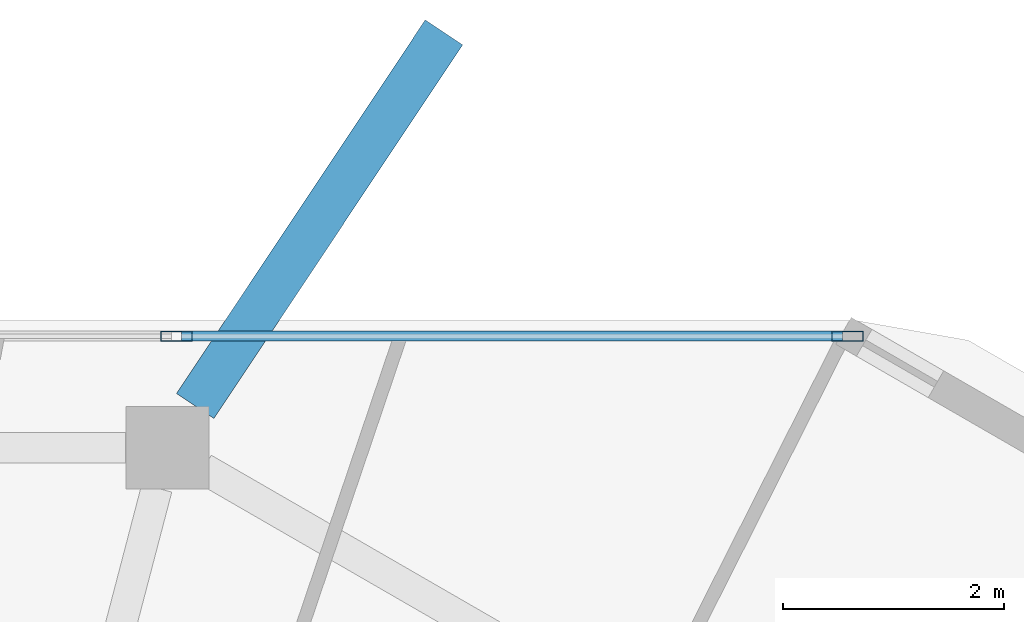
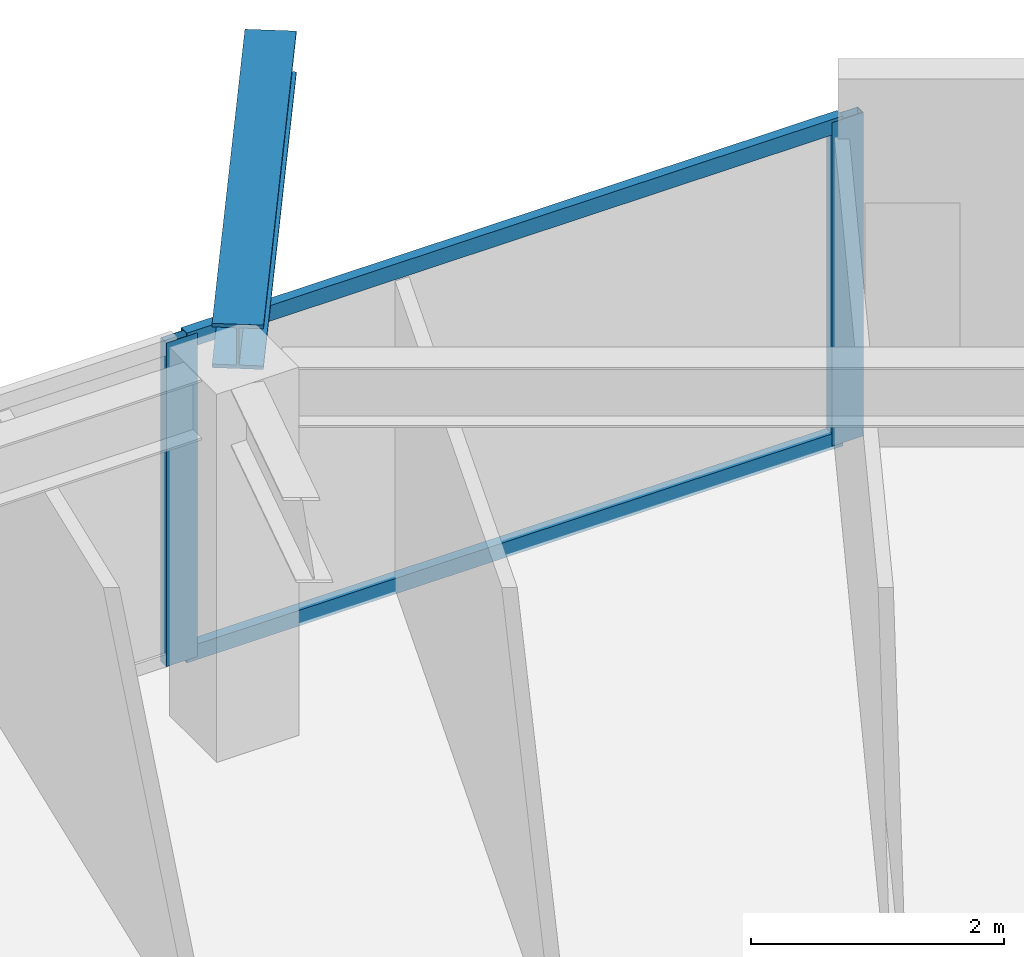
# One storey, part 10 of 18: 4 members, 1 beam, 1 element without a shape of its own.
"""IFC4 building model written with IfcOpenShell, lengths in metres."""

from ifc_helpers import new_model, si_unit, direction, frame, origin, origin_2d, place, context, subcontext, project, spatial, hollow_rectangle, i_section, extrude, material, material_profile, profile_set, type_object, element, aggregate, save


model = new_model("IFC4")

# Units and contexts
model_context = context("Model", 3, precision=1e-05, world=origin(), true_north=direction((0.0, 1.0)))
body_context = subcontext(model_context, "Body", "Model", "MODEL_VIEW")
ifc_project = project(units=[si_unit("LENGTHUNIT", "METRE"), si_unit("AREAUNIT", "SQUARE_METRE"), si_unit("VOLUMEUNIT", "CUBIC_METRE"), si_unit("PLANEANGLEUNIT", "RADIAN"), si_unit("MASSUNIT", "GRAM", prefix="KILO")], contexts=[model_context])

# Site, building, storey
site_placement = place(None, origin())
site = spatial("IfcSite", under=ifc_project, at=site_placement, CompositionType="ELEMENT")
building_placement = place(site_placement, origin())
building = spatial("IfcBuilding", under=site, at=building_placement, Name="Zuhravey Tower", CompositionType="ELEMENT")
storey_placement = place(building_placement, frame((0.0, 0.0, 342.39990234375)))
storey = spatial("IfcBuildingStorey", under=building, at=storey_placement, Name="L87", CompositionType="ELEMENT", Elevation=342.39990234375)

# Curtain wall, members
ifc_material_1 = material(Name="Thermally broken anodised aluminium", Category="aluminium")
curtain_wall_type = type_object("IfcCurtainWallType", Name="Zone 3-4 High-Rise Curtain Wall CW4", PredefinedType="NOTDEFINED", material=ifc_material_1)
curtain_wall_placement = place(storey_placement, origin())
curtain_wall = element("IfcCurtainWall", 1, at=curtain_wall_placement, inside=storey, type_object=curtain_wall_type, Name="L87 CW4 CW-L87-F2-1", PredefinedType="NOTDEFINED")
ifc_material_2 = material(Name="Anodised aluminium", Category="aluminium")
ifc_material_profile_1 = material_profile(ifc_material_2, hollow_rectangle(XDim=0.090087890625, YDim=0.284912109375, WallThickness=0.0048828125, at=origin_2d()), Name="ALU-RHS-90x285x5")
ifc_profile_set_1 = profile_set([ifc_material_profile_1], Name="Anodised aluminium")
member_type_1 = type_object("IfcMemberType", Name="Curtain-Wall Mullion 90x180", PredefinedType="MULLION", material=ifc_profile_set_1)
member_1_placement = place(storey_placement, frame((42.11962890625, 56.07421875, 0.0), z_axis=(0.0, 0.0, 1.0), x_axis=(0.0, 1.0, 0.0)))
member_1 = element("IfcMember", 2, at=member_1_placement, type_object=member_type_1, Name="CW4 mullion 4", PredefinedType="MULLION", context=body_context, shape_type="SweptSolid", body=[
    extrude(hollow_rectangle(XDim=0.090087890625, YDim=0.284912109375, WallThickness=0.0048828125, at=origin_2d()), origin(), (0.0, 0.0, 1.0), 3.1220703125),
])
member_2_placement = place(storey_placement, frame((48.1943359375, 56.07421875, 0.0), z_axis=(0.0, 0.0, 1.0), x_axis=(0.0, 1.0, 0.0)))
member_2 = element("IfcMember", 3, at=member_2_placement, type_object=member_type_1, Name="CW4 mullion 5", PredefinedType="MULLION", context=body_context, shape_type="SweptSolid", body=[
    extrude(hollow_rectangle(XDim=0.090087890625, YDim=0.284912109375, WallThickness=0.0048828125, at=origin_2d()), origin(), (0.0, 0.0, 1.0), 3.1220703125),
])
ifc_material_profile_2 = material_profile(ifc_material_2, hollow_rectangle(XDim=0.090087890625, YDim=0.14990234375, WallThickness=0.0048828125, at=origin_2d()), Name="ALU-RHS-90x150x5")
ifc_profile_set_2 = profile_set([ifc_material_profile_2], Name="Anodised aluminium")
member_type_2 = type_object("IfcMemberType", Name="Curtain-Wall Transom 90x150", PredefinedType="USERDEFINED", material=ifc_profile_set_2)
member_3_placement = place(storey_placement, frame((42.16455078125, 56.07421875, 0.045166015625), z_axis=(1.0, 0.0, 0.0), x_axis=(0.0, 1.0, 0.0)))
member_3 = element("IfcMember", 4, at=member_3_placement, type_object=member_type_2, Name="CW4 transom 4.1", ObjectType="TRANSOM", PredefinedType="USERDEFINED", context=body_context, shape_type="SweptSolid", body=[
    extrude(hollow_rectangle(XDim=0.090087890625, YDim=0.14990234375, WallThickness=0.0048828125, at=origin_2d()), origin(), (0.0, 0.0, 1.0), 5.98486328125),
])
member_4_placement = place(storey_placement, frame((42.16455078125, 56.07421875, 3.0771484375), z_axis=(1.0, 0.0, 0.0), x_axis=(0.0, 1.0, 0.0)))
member_4 = element("IfcMember", 5, at=member_4_placement, type_object=member_type_2, Name="CW4 transom 4.2", ObjectType="TRANSOM", PredefinedType="USERDEFINED", context=body_context, shape_type="SweptSolid", body=[
    extrude(hollow_rectangle(XDim=0.090087890625, YDim=0.14990234375, WallThickness=0.0048828125, at=origin_2d()), origin(), (0.0, 0.0, 1.0), 5.98486328125),
])
aggregate(curtain_wall, [member_1, member_2, member_3, member_4])

# Beam
ifc_material_3 = material(Name="Steel SM460", Category="steel")
ifc_material_profile_3 = material_profile(ifc_material_3, i_section(OverallWidth=0.406982421875, OverallDepth=0.427978515625, WebThickness=0.02001953125, FlangeThickness=0.034912109375, at=origin_2d()), Name="H-428x407x20x35")
ifc_profile_set_3 = profile_set([ifc_material_profile_3], Name="Steel SM460")
beam_type = type_object("IfcBeamType", Name="Exoskeleton Node Tie Beam H428x407", PredefinedType="BEAM", material=ifc_profile_set_3)
beam_placement = place(storey_placement, frame((42.290771484375, 55.4423828125, 3.336181640625), z_axis=(0.554311580134, 0.832309240685, 0.0), x_axis=(-0.832309240685, 0.554311580134, 0.0)))
element("IfcBeam", 6, at=beam_placement, inside=storey, type_object=beam_type, Name="L87 Exoskeleton Node Tie NT1-03", PredefinedType="BEAM", context=body_context, shape_type="SweptSolid", body=[
    extrude(i_section(OverallWidth=0.406982421875, OverallDepth=0.427978515625, WebThickness=0.02001953125, FlangeThickness=0.034912109375, at=origin_2d()), origin(), (0.0, 0.0, 1.0), 4.06005859375),
])

save(model, "model.ifc")
